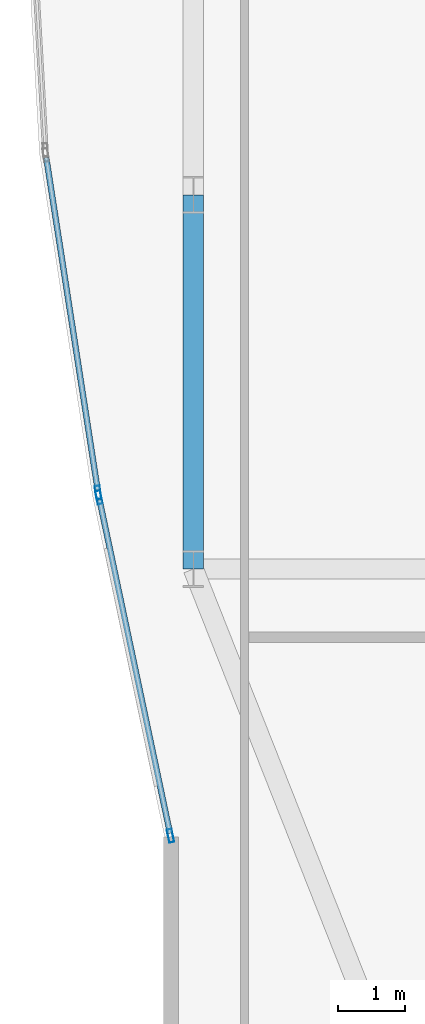
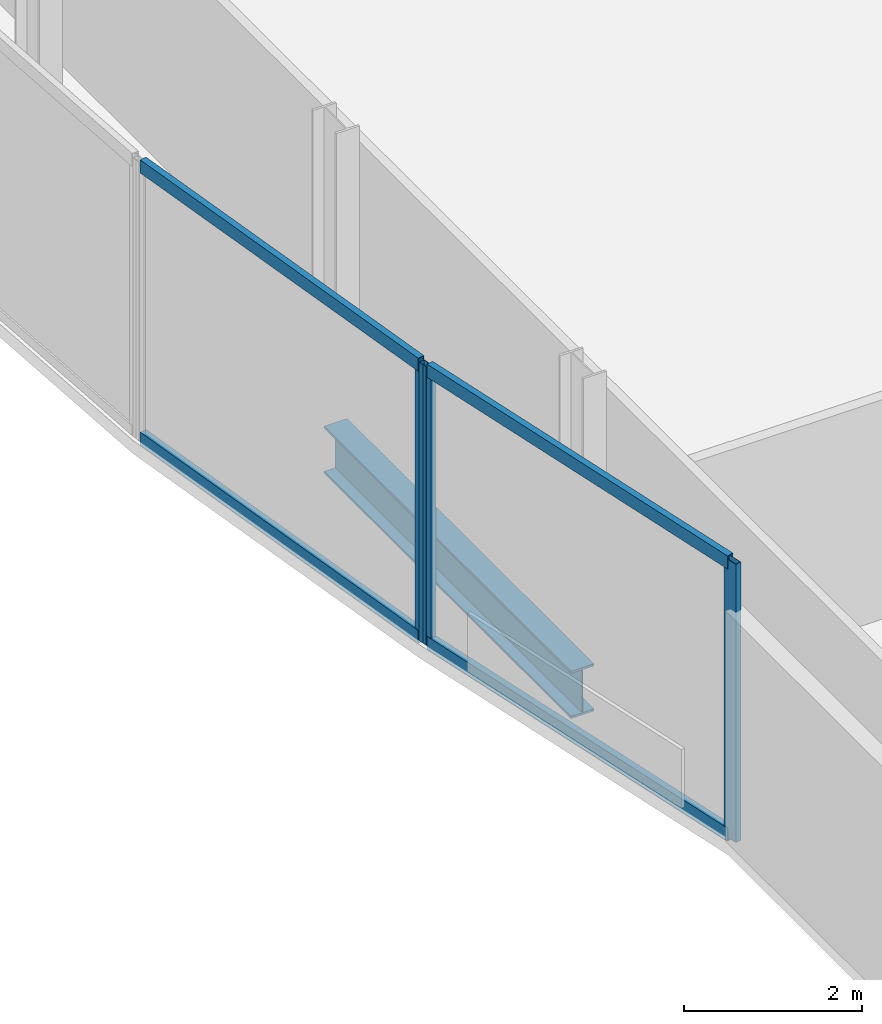
# One storey, part 6 of 35: 7 members, 1 beam, 2 elements without a shape of their own.
"""IFC4 building model written with IfcOpenShell, lengths in metres."""

from ifc_helpers import new_model, si_unit, direction, frame, origin, origin_2d, place, context, subcontext, project, spatial, hollow_rectangle, i_section, extrude, material, material_profile, profile_set, type_object, element, aggregate, save


model = new_model("IFC4")

# Units and contexts
model_context = context("Model", 3, precision=1e-05, world=origin(), true_north=direction((0.0, 1.0)))
body_context = subcontext(model_context, "Body", "Model", "MODEL_VIEW")
ifc_project = project(units=[si_unit("LENGTHUNIT", "METRE"), si_unit("AREAUNIT", "SQUARE_METRE"), si_unit("VOLUMEUNIT", "CUBIC_METRE"), si_unit("PLANEANGLEUNIT", "RADIAN"), si_unit("MASSUNIT", "GRAM", prefix="KILO")], contexts=[model_context])

# Site, building, storey
site_placement = place(None, origin())
site = spatial("IfcSite", under=ifc_project, at=site_placement, CompositionType="ELEMENT")
building_placement = place(site_placement, origin())
building = spatial("IfcBuilding", under=site, at=building_placement, Name="Khoronbel Lancet Exchange", CompositionType="ELEMENT")
storey_placement = place(building_placement, frame((0.0, 0.0, 53.800048828125)))
storey = spatial("IfcBuildingStorey", under=building, at=storey_placement, Name="L12", CompositionType="ELEMENT", Elevation=53.800048828125)

# Beam
ifc_material_1 = material(Name="Steel S355", Category="steel")
ifc_material_profile_1 = material_profile(ifc_material_1, i_section(OverallWidth=0.300048828125, OverallDepth=0.64990234375, WebThickness=0.01611328125, FlangeThickness=0.031005859375, at=origin_2d()), Name="HEB 650")
ifc_profile_set_1 = profile_set([ifc_material_profile_1], Name="Steel S355")
beam_type = type_object("IfcBeamType", Name="BM-BSP1", PredefinedType="SPANDREL", material=ifc_profile_set_1)
beam_placement = place(storey_placement, frame((1.27001953125, 24.75, -0.505126953125), z_axis=(0.0, -1.0, 0.0), x_axis=(1.0, 0.0, 0.0)))
element("IfcBeam", 1, at=beam_placement, inside=storey, type_object=beam_type, Name="Level L12 perimeter spandrel beam SP20", PredefinedType="SPANDREL", context=body_context, shape_type="SweptSolid", body=[
    extrude(i_section(OverallWidth=0.300048828125, OverallDepth=0.64990234375, WebThickness=0.01611328125, FlangeThickness=0.031005859375, at=origin_2d()), origin(), (0.0, 0.0, 1.0), 5.550048828125),
])

# Curtain wall, members
ifc_material_2 = material(Name="Low-E Solar Control Insulating Glass", Category="glass")
curtain_wall_type = type_object("IfcCurtainWallType", Name="CW-4", PredefinedType="NOTDEFINED", material=ifc_material_2)
curtain_wall_1_placement = place(storey_placement, origin())
curtain_wall_1 = element("IfcCurtainWall", 2, at=curtain_wall_1_placement, inside=storey, type_object=curtain_wall_type, Name="Unitised curtain wall CW-L12-E04", PredefinedType="NOTDEFINED")
ifc_material_3 = material(Name="Bronze-Anodised Aluminium 6063-T6", Category="aluminium")
ifc_material_profile_2 = material_profile(ifc_material_3, hollow_rectangle(XDim=0.074951171875, YDim=0.199951171875, WallThickness=0.0048828125, at=origin_2d()), Name="ALU MULLION 75x200")
ifc_profile_set_2 = profile_set([ifc_material_profile_2], Name="Bronze-Anodised Aluminium 6063-T6")
member_type_1 = type_object("IfcMemberType", Name="MEM-CWM2", PredefinedType="MULLION", material=ifc_profile_set_2)
member_1_placement = place(storey_placement, frame((0.93212890625, 15.24609375, 0.0), z_axis=(0.0, 0.0, 1.0), x_axis=(-0.978363397148, -0.206893845051, 0.0)))
member_1 = element("IfcMember", 3, at=member_1_placement, type_object=member_type_1, Name="CW4 mullion 1", PredefinedType="MULLION", context=body_context, shape_type="SweptSolid", body=[
    extrude(hollow_rectangle(XDim=0.074951171875, YDim=0.199951171875, WallThickness=0.0048828125, at=origin_2d()), origin(), (0.0, 0.0, 1.0), 3.820068359375),
])
member_2_placement = place(storey_placement, frame((-0.128662109375, 20.2626953125, 0.0), z_axis=(0.0, 0.0, 1.0), x_axis=(-0.978363397148, -0.206893845051, 0.0)))
member_2 = element("IfcMember", 4, at=member_2_placement, type_object=member_type_1, Name="CW4 mullion 2", PredefinedType="MULLION", context=body_context, shape_type="SweptSolid", body=[
    extrude(hollow_rectangle(XDim=0.074951171875, YDim=0.199951171875, WallThickness=0.0048828125, at=origin_2d()), origin(), (0.0, 0.0, 1.0), 3.820068359375),
])

# Curtain wall, member
curtain_wall_2_placement = place(storey_placement, origin())
curtain_wall_2 = element("IfcCurtainWall", 5, at=curtain_wall_2_placement, inside=storey, type_object=curtain_wall_type, Name="Unitised curtain wall CW-L12-E05", PredefinedType="NOTDEFINED")
member_3_placement = place(storey_placement, frame((-0.14208984375, 20.336669921875, 0.0), z_axis=(0.0, 0.0, 1.0), x_axis=(-0.988225870473, -0.153002055303, 0.0)))
member_3 = element("IfcMember", 6, at=member_3_placement, type_object=member_type_1, Name="CW4 mullion 1", PredefinedType="MULLION", context=body_context, shape_type="SweptSolid", body=[
    extrude(hollow_rectangle(XDim=0.074951171875, YDim=0.199951171875, WallThickness=0.0048828125, at=origin_2d()), origin(), (0.0, 0.0, 1.0), 3.820068359375),
])

# Member
ifc_material_profile_3 = material_profile(ifc_material_3, hollow_rectangle(XDim=0.0849609375, YDim=0.179931640625, WallThickness=0.0048828125, at=origin_2d()), Name="ALU TRANSOM 85x180")
ifc_profile_set_3 = profile_set([ifc_material_profile_3], Name="Bronze-Anodised Aluminium 6063-T6")
member_type_2 = type_object("IfcMemberType", Name="MEM-CWT1", PredefinedType="USERDEFINED", material=ifc_profile_set_3)
member_4_placement = place(storey_placement, frame((0.924560546875, 15.28271484375, 0.04248046875), z_axis=(-0.206901668426, 0.978361742712, 0.0), x_axis=(-0.978361742712, -0.206901668426, 0.0)))
member_4 = element("IfcMember", 7, at=member_4_placement, type_object=member_type_2, Name="CW4 transom 1.1", ObjectType="TRANSOM", PredefinedType="USERDEFINED", context=body_context, shape_type="SweptSolid", body=[
    extrude(hollow_rectangle(XDim=0.0849609375, YDim=0.179931640625, WallThickness=0.0048828125, at=origin_2d()), origin(), (0.0, 0.0, 1.0), 5.052734375),
])

member_5_placement = place(storey_placement, frame((0.924560546875, 15.28271484375, 3.77734375), z_axis=(-0.206901668426, 0.978361742712, 0.0), x_axis=(-0.978361742712, -0.206901668426, 0.0)))
member_5 = element("IfcMember", 8, at=member_5_placement, type_object=member_type_2, Name="CW4 transom 1.2", ObjectType="TRANSOM", PredefinedType="USERDEFINED", context=body_context, shape_type="SweptSolid", body=[
    extrude(hollow_rectangle(XDim=0.0849609375, YDim=0.179931640625, WallThickness=0.0048828125, at=origin_2d()), origin(), (0.0, 0.0, 1.0), 5.052734375),
])

aggregate(curtain_wall_1, [member_1, member_2, member_4, member_5])

member_6_placement = place(storey_placement, frame((-0.14794921875, 20.37353515625, 0.04248046875), z_axis=(-0.152980447754, 0.98822921562, 0.0), x_axis=(-0.98822921562, -0.152980447754, 0.0)))
member_6 = element("IfcMember", 9, at=member_6_placement, type_object=member_type_2, Name="CW4 transom 1.1", ObjectType="TRANSOM", PredefinedType="USERDEFINED", context=body_context, shape_type="SweptSolid", body=[
    extrude(hollow_rectangle(XDim=0.0849609375, YDim=0.179931640625, WallThickness=0.0048828125, at=origin_2d()), origin(), (0.0, 0.0, 1.0), 4.987060546875),
])

member_7_placement = place(storey_placement, frame((-0.14794921875, 20.37353515625, 3.77734375), z_axis=(-0.152980447754, 0.98822921562, 0.0), x_axis=(-0.98822921562, -0.152980447754, 0.0)))
member_7 = element("IfcMember", 10, at=member_7_placement, type_object=member_type_2, Name="CW4 transom 1.2", ObjectType="TRANSOM", PredefinedType="USERDEFINED", context=body_context, shape_type="SweptSolid", body=[
    extrude(hollow_rectangle(XDim=0.0849609375, YDim=0.179931640625, WallThickness=0.0048828125, at=origin_2d()), origin(), (0.0, 0.0, 1.0), 4.987060546875),
])

aggregate(curtain_wall_2, [member_3, member_6, member_7])

save(model, "model.ifc")
